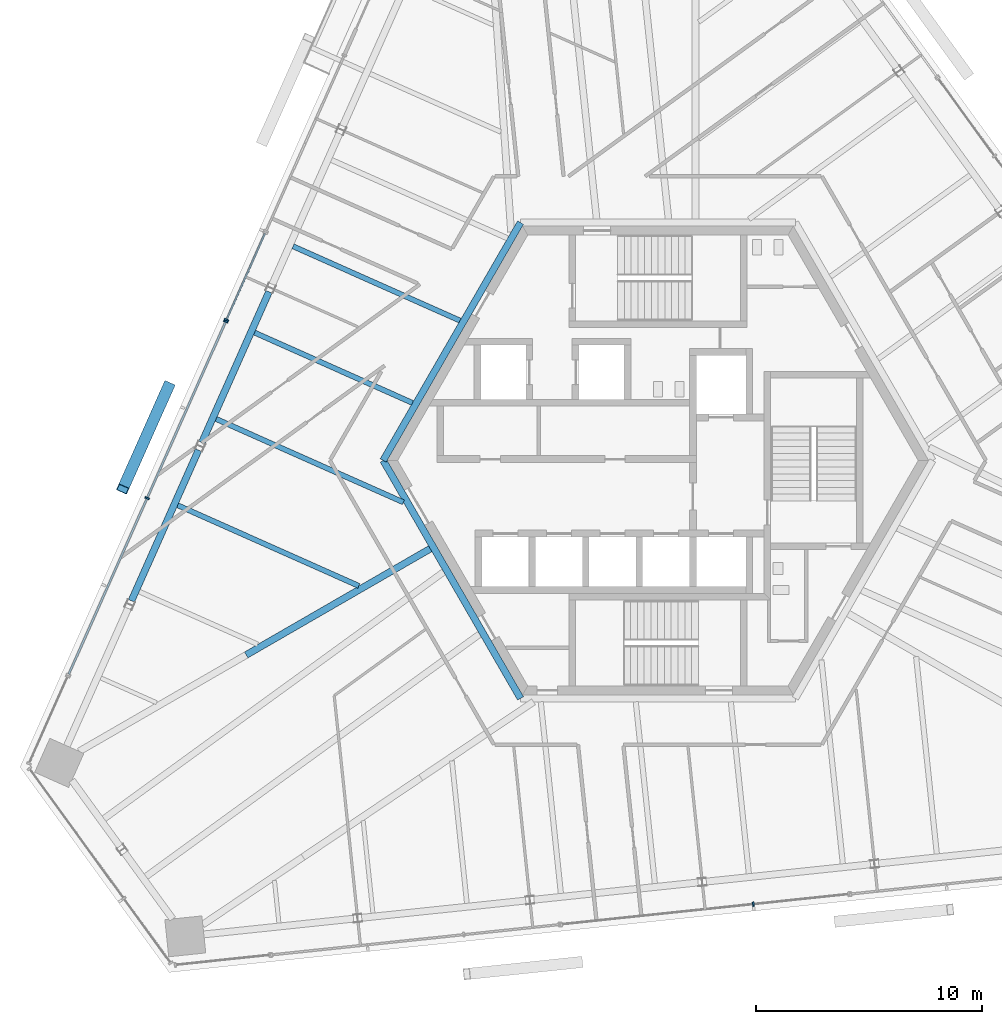
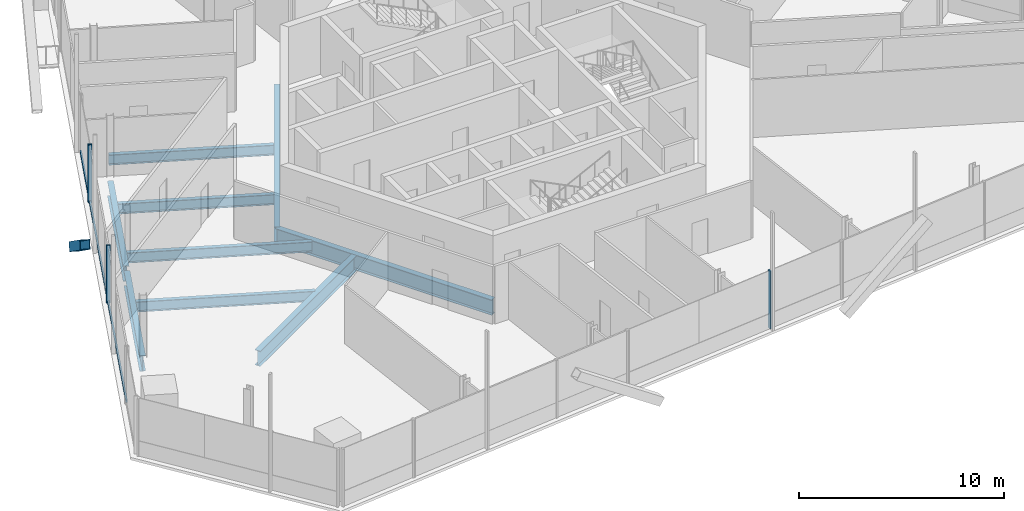
# One storey, part 5 of 21: 9 beams, 8 members, 3 elements without a shape of their own.
"""IFC4 building model written with IfcOpenShell, lengths in metres."""

from ifc_helpers import new_model, si_unit, direction, frame, origin, origin_2d, place, context, subcontext, project, spatial, rectangle, hollow_rectangle, i_section, extrude, source, transform, mapped, material, material_profile, profile_set, type_object, element, aggregate, save


model = new_model("IFC4")

# Units and contexts
model_context = context("Model", 3, precision=1e-05, world=origin(), true_north=direction((0.0, 1.0)))
body_context = subcontext(model_context, "Body", "Model", "MODEL_VIEW")
ifc_project = project(units=[si_unit("LENGTHUNIT", "METRE"), si_unit("AREAUNIT", "SQUARE_METRE"), si_unit("VOLUMEUNIT", "CUBIC_METRE"), si_unit("PLANEANGLEUNIT", "RADIAN"), si_unit("MASSUNIT", "GRAM", prefix="KILO")], contexts=[model_context])

# Site, building, storey
site_placement = place(None, origin())
site = spatial("IfcSite", under=ifc_project, at=site_placement, CompositionType="ELEMENT")
building_placement = place(site_placement, origin())
building = spatial("IfcBuilding", under=site, at=building_placement, Name="Triune Harvest Tower", CompositionType="ELEMENT")
storey_placement = place(building_placement, frame((0.0, 0.0, 241.300048828125)))
storey = spatial("IfcBuildingStorey", under=building, at=storey_placement, Name="L63", CompositionType="ELEMENT", Elevation=241.300048828125)

# Curtain wall, member
ifc_material_1 = material(Name="Aluminium bronze anodised", Category="aluminium")
curtain_wall_type_1 = type_object("IfcCurtainWallType", Name="CW-6 Balcony window wall", PredefinedType="NOTDEFINED", material=ifc_material_1)
curtain_wall_1_placement = place(storey_placement, origin())
curtain_wall_1 = element("IfcCurtainWall", 1, at=curtain_wall_1_placement, inside=storey, type_object=curtain_wall_type_1, Name="CW-6 B6-F3 L63 run 1002")
ifc_material_2 = material(Name="Aluminium bronze anodised", Category="aluminium")
ifc_material_profile_1 = material_profile(ifc_material_2, rectangle(XDim=0.090087890625, YDim=0.14990234375, at=origin_2d()), Name="TR-6 transom 90 x 150")
ifc_profile_set_1 = profile_set([ifc_material_profile_1], Name="Aluminium bronze anodised")
member_type_1 = type_object("IfcMemberType", Name="TR-6 transom 90 x 150", PredefinedType="USERDEFINED", material=ifc_profile_set_1)
member_1_placement = place(storey_placement, frame((-17.417724609375, 10.059814453125, 0.074951171875), z_axis=(-0.406716263408, -0.913554530983, 0.0), x_axis=(0.913554530983, -0.406716263408, 0.0)))
member_1 = element("IfcMember", 2, at=member_1_placement, type_object=member_type_1, Name="CW-6 transom B6-F3 1002.1", ObjectType="TRANSOM", PredefinedType="USERDEFINED", context=body_context, shape_type="SweptSolid", body=[
    extrude(rectangle(XDim=0.090087890625, YDim=0.14990234375, at=origin_2d()), origin(), (0.0, 0.0, 1.0), 4.155029296875),
])

# Beams
ifc_material_3 = material(Name="Steel ASTM A992 Gr 50", Category="steel")
ifc_material_profile_2 = material_profile(ifc_material_3, i_section(OverallWidth=0.3046875, OverallDepth=0.914306640625, WebThickness=0.0166015625, FlangeThickness=0.02587890625, at=origin_2d()), Name="W36x160")
ifc_profile_set_2 = profile_set([ifc_material_profile_2], Name="Steel ASTM A992 Gr 50")
beam_type_1 = type_object("IfcBeamType", Name="CG-1 Core ring girder W36x160", PredefinedType="BEAM", material=ifc_profile_set_2)
shared_shape_1 = source(origin(), body_context, "Body", "SweptSolid", [
    extrude(i_section(OverallWidth=0.3046875, OverallDepth=0.914306640625, WebThickness=0.0166015625, FlangeThickness=0.02587890625, at=origin_2d()), origin(), (0.0, 0.0, 1.0), 12.176025390625),
])
for number, where, z_axis, x_axis, name in (
    (3, (-6.087890625, 10.544677734375, -0.6171875), (-0.5000099932, -0.866019634131, 0.0), (0.866019634131, -0.5000099932, 0.0), "beam/L63/CG3"),
    (4, (-12.176025390625, 0.0, -0.6171875), (0.5000099932, -0.866019634131, 0.0), (0.866019634131, 0.5000099932, 0.0), "beam/L63/CG4"),
):
    element("IfcBeam", number, at=place(storey_placement, frame(where, z_axis=z_axis, x_axis=x_axis)), inside=storey, type_object=beam_type_1, Name=name, PredefinedType="BEAM", context=body_context, shape_type="MappedRepresentation", body=[
        mapped(shared_shape_1, transform((0.0, 0.0, 0.0), scale=1.0)),
    ])
ifc_material_4 = material(Name="Steel ASTM A992 Gr 50", Category="steel")
ifc_material_profile_3 = material_profile(ifc_material_4, i_section(OverallWidth=0.3046875, OverallDepth=0.914306640625, WebThickness=0.0166015625, FlangeThickness=0.02587890625, at=origin_2d()), Name="W36x160")
ifc_profile_set_3 = profile_set([ifc_material_profile_3], Name="Steel ASTM A992 Gr 50")
beam_type_2 = type_object("IfcBeamType", Name="HG-3 Hip girder W36x160", PredefinedType="BEAM", material=ifc_profile_set_3)
shared_shape_2 = source(origin(), body_context, "Body", "SweptSolid", [
    extrude(i_section(OverallWidth=0.3046875, OverallDepth=0.914306640625, WebThickness=0.0166015625, FlangeThickness=0.02587890625, at=origin_2d()), origin(), (0.0, 0.0, 1.0), 9.416259765625),
])
beam_1_placement = place(storey_placement, frame((-18.247802734375, -8.62060546875, -0.6171875), z_axis=(0.866032742664, 0.499987288472, 0.0), x_axis=(-0.499987288472, 0.866032742664, 0.0)))
element("IfcBeam", 5, at=beam_1_placement, inside=storey, type_object=beam_type_2, Name="beam/L63/HG6", PredefinedType="BEAM", context=body_context, shape_type="MappedRepresentation", body=[
    mapped(shared_shape_2, transform((0.0, 0.0, 0.0), scale=1.0)),
])
ifc_material_5 = material(Name="Steel ASTM A992 Gr 50", Category="steel")
ifc_material_profile_4 = material_profile(ifc_material_5, i_section(OverallWidth=0.3046875, OverallDepth=0.914306640625, WebThickness=0.0166015625, FlangeThickness=0.02587890625, at=origin_2d()), Name="W36x160")
ifc_profile_set_4 = profile_set([ifc_material_profile_4], Name="Steel ASTM A992 Gr 50")
beam_type_3 = type_object("IfcBeamType", Name="SB-1 Spandrel beam W36x160", PredefinedType="SPANDREL", material=ifc_profile_set_4)
shared_shape_3 = source(origin(), body_context, "Body", "SweptSolid", [
    extrude(i_section(OverallWidth=0.3046875, OverallDepth=0.914306640625, WebThickness=0.0166015625, FlangeThickness=0.02587890625, at=origin_2d()), origin(), (0.0, 0.0, 1.0), 7.311279296875),
])
for number, where, z_axis, x_axis, name in (
    (6, (-17.238525390625, 7.4736328125, -0.6171875), (-0.406748727305, -0.913540077301, 0.0), (0.913540077301, -0.406748727305, 0.0), "beam/L63/SB12"),
    (7, (-20.362060546875, 0.4580078125, -0.6171875), (-0.406720859208, -0.91355248491, 0.0), (0.91355248491, -0.406720859208, 0.0), "beam/L63/SB13"),
):
    element("IfcBeam", number, at=place(storey_placement, frame(where, z_axis=z_axis, x_axis=x_axis)), inside=storey, type_object=beam_type_3, Name=name, PredefinedType="SPANDREL", context=body_context, shape_type="MappedRepresentation", body=[
        mapped(shared_shape_3, transform((0.0, 0.0, 0.0), scale=1.0)),
    ])
ifc_material_6 = material(Name="Steel ASTM A992 Gr 50", Category="steel")
ifc_material_profile_5 = material_profile(ifc_material_6, i_section(OverallWidth=0.22900390625, OverallDepth=0.612060546875, WebThickness=0.011962890625, FlangeThickness=0.01953125, at=origin_2d()), Name="W24x84")
ifc_profile_set_5 = profile_set([ifc_material_profile_5], Name="Steel ASTM A992 Gr 50")
beam_type_4 = type_object("IfcBeamType", Name="JT-3 Floor joist W24x84", PredefinedType="JOIST", material=ifc_profile_set_5)
shared_shape_4 = source(origin(), body_context, "Body", "SweptSolid", [
    extrude(i_section(OverallWidth=0.22900390625, OverallDepth=0.612060546875, WebThickness=0.011962890625, FlangeThickness=0.01953125, at=origin_2d()), origin(), (0.0, 0.0, 1.0), 8.099609375),
])
beam_2_placement = place(storey_placement, frame((-16.172607421875, 9.4931640625, -0.466064453125), z_axis=(0.913545356779, -0.406736869618, 0.0), x_axis=(0.406736869618, 0.913545356779, 0.0)))
element("IfcBeam", 8, at=beam_2_placement, inside=storey, type_object=beam_type_4, Name="beam/L63/JT17", PredefinedType="JOIST", context=body_context, shape_type="MappedRepresentation", body=[
    mapped(shared_shape_4, transform((0.0, 0.0, 0.0), scale=1.0)),
])
shared_shape_5 = source(origin(), body_context, "Body", "SweptSolid", [
    extrude(i_section(OverallWidth=0.22900390625, OverallDepth=0.612060546875, WebThickness=0.011962890625, FlangeThickness=0.01953125, at=origin_2d()), origin(), (0.0, 0.0, 1.0), 7.659423828125),
])
beam_3_placement = place(storey_placement, frame((-17.876220703125, 5.66650390625, -0.466064453125), z_axis=(0.913536623341, -0.406756484663, 0.0), x_axis=(0.406756484663, 0.913536623341, 0.0)))
element("IfcBeam", 9, at=beam_3_placement, inside=storey, type_object=beam_type_4, Name="beam/L63/JT18", PredefinedType="JOIST", context=body_context, shape_type="MappedRepresentation", body=[
    mapped(shared_shape_5, transform((0.0, 0.0, 0.0), scale=1.0)),
])
shared_shape_6 = source(origin(), body_context, "Body", "SweptSolid", [
    extrude(i_section(OverallWidth=0.22900390625, OverallDepth=0.612060546875, WebThickness=0.011962890625, FlangeThickness=0.01953125, at=origin_2d()), origin(), (0.0, 0.0, 1.0), 9.084716796875),
])
beam_4_placement = place(storey_placement, frame((-19.580078125, 1.83984375, -0.466064453125), z_axis=(0.913546495421, -0.406734312179, 0.0), x_axis=(0.406734312179, 0.913546495421, 0.0)))
element("IfcBeam", 10, at=beam_4_placement, inside=storey, type_object=beam_type_4, Name="beam/L63/JT19", PredefinedType="JOIST", context=body_context, shape_type="MappedRepresentation", body=[
    mapped(shared_shape_6, transform((0.0, 0.0, 0.0), scale=1.0)),
])
shared_shape_7 = source(origin(), body_context, "Body", "SweptSolid", [
    extrude(i_section(OverallWidth=0.22900390625, OverallDepth=0.612060546875, WebThickness=0.011962890625, FlangeThickness=0.01953125, at=origin_2d()), origin(), (0.0, 0.0, 1.0), 8.789306640625),
])
beam_5_placement = place(storey_placement, frame((-21.28369140625, -1.98681640625, -0.466064453125), z_axis=(0.913542165142, -0.406744038074, 0.0), x_axis=(0.406744038074, 0.913542165142, 0.0)))
element("IfcBeam", 11, at=beam_5_placement, inside=storey, type_object=beam_type_4, Name="beam/L63/JT20", PredefinedType="JOIST", context=body_context, shape_type="MappedRepresentation", body=[
    mapped(shared_shape_7, transform((0.0, 0.0, 0.0), scale=1.0)),
])

# Member
ifc_material_7 = material(Name="Steel ASTM A572 Gr 50", Category="steel")
ifc_material_profile_6 = material_profile(ifc_material_7, hollow_rectangle(XDim=0.5, YDim=0.5, WallThickness=0.030029296875, at=origin_2d()), Name="Box 500x500x30")
ifc_profile_set_6 = profile_set([ifc_material_profile_6], Name="Steel ASTM A572 Gr 50")
member_type_2 = type_object("IfcMemberType", Name="BR-3 Brace Box 500x500x30", PredefinedType="BRACE", material=ifc_profile_set_6)
shared_shape_8 = source(origin(), body_context, "Body", "SweptSolid", [
    extrude(hollow_rectangle(XDim=0.5, YDim=0.5, WallThickness=0.030029296875, at=origin_2d()), origin(), (0.0, 0.0, 1.0), 6.170654296875),
])
member_2_placement = place(storey_placement, frame((-21.681396484375, 3.310791015625, 0.0), z_axis=(-0.330359661148, -0.741983842536, 0.583371641153), x_axis=(0.913542177249, -0.406744010879, 0.0)))
element("IfcMember", 12, at=member_2_placement, inside=storey, type_object=member_type_2, Name="brace/B6-F3/d1/7", PredefinedType="BRACE", context=body_context, shape_type="MappedRepresentation", body=[
    mapped(shared_shape_8, transform((0.0, 0.0, 0.0), scale=1.0)),
])

# Curtain wall, member
ifc_material_8 = material(Name="Aluminium bronze anodised", Category="aluminium")
curtain_wall_type_2 = type_object("IfcCurtainWallType", Name="CW-1 Tower stick curtain wall", PredefinedType="NOTDEFINED", material=ifc_material_8)
curtain_wall_2_placement = place(storey_placement, origin())
curtain_wall_2 = element("IfcCurtainWall", 13, at=curtain_wall_2_placement, inside=storey, type_object=curtain_wall_type_2, Name="CW-1 B6-F5 L63 run 2001")
ifc_material_9 = material(Name="Aluminium bronze anodised", Category="aluminium")
ifc_material_profile_7 = material_profile(ifc_material_9, rectangle(XDim=0.199951171875, YDim=0.074951171875, at=origin_2d()), Name="MU-1 mullion 75 x 200")
ifc_profile_set_7 = profile_set([ifc_material_profile_7], Name="Aluminium bronze anodised")
member_type_3 = type_object("IfcMemberType", Name="MU-1 mullion 75 x 200", PredefinedType="MULLION", material=ifc_profile_set_7)
shared_shape_9 = source(origin(), body_context, "Body", "SweptSolid", [
    extrude(rectangle(XDim=0.199951171875, YDim=0.074951171875, at=origin_2d()), origin(), (0.0, 0.0, 1.0), 3.43994140625),
])
member_3_placement = place(storey_placement, frame((4.229248046875, -19.669189453125, 0.0), z_axis=(0.0, 0.0, 1.0), x_axis=(-0.104535075084, 0.994521200416, 0.0)))
member_3 = element("IfcMember", 14, at=member_3_placement, type_object=member_type_3, Name="CW-1 mullion B6-F5 2001.3", PredefinedType="MULLION", context=body_context, shape_type="MappedRepresentation", body=[
    mapped(shared_shape_9, transform((0.0, 0.0, 0.0), scale=1.0)),
])
aggregate(curtain_wall_2, [member_3])

# Member
ifc_material_10 = material(Name="Aluminium bronze anodised", Category="aluminium")
ifc_material_profile_8 = material_profile(ifc_material_10, rectangle(XDim=0.199951171875, YDim=0.074951171875, at=origin_2d()), Name="MU-6 mullion 75 x 200")
ifc_profile_set_8 = profile_set([ifc_material_profile_8], Name="Aluminium bronze anodised")
member_type_4 = type_object("IfcMemberType", Name="MU-6 mullion 75 x 200", PredefinedType="MULLION", material=ifc_profile_set_8)
shared_shape_10 = source(origin(), body_context, "Body", "SweptSolid", [
    extrude(rectangle(XDim=0.199951171875, YDim=0.074951171875, at=origin_2d()), origin(), (0.0, 0.0, 1.0), 3.43994140625),
])
member_4_placement = place(storey_placement, frame((-19.123046875, 6.229736328125, 0.0), z_axis=(0.0, 0.0, 1.0), x_axis=(0.913540270066, -0.406748294364, 0.0)))
member_4 = element("IfcMember", 15, at=member_4_placement, type_object=member_type_4, Name="CW-6 mullion B6-F3 1002.2", PredefinedType="MULLION", context=body_context, shape_type="MappedRepresentation", body=[
    mapped(shared_shape_10, transform((0.0, 0.0, 0.0), scale=1.0)),
])

aggregate(curtain_wall_1, [member_4, member_1])

# Curtain wall, members
ifc_material_11 = material(Name="Aluminium bronze anodised", Category="aluminium")
curtain_wall_type_3 = type_object("IfcCurtainWallType", Name="CW-10 Balcony window wall with insulated spandrel infill", PredefinedType="NOTDEFINED", material=ifc_material_11)
curtain_wall_3_placement = place(storey_placement, origin())
curtain_wall_3 = element("IfcCurtainWall", 16, at=curtain_wall_3_placement, inside=storey, type_object=curtain_wall_type_3, Name="CW-10 B6-F3 L63 run 2002")
member_5_placement = place(storey_placement, frame((-19.153564453125, 6.1611328125, 0.0), z_axis=(0.0, 0.0, 1.0), x_axis=(0.913545546294, -0.406736443962, 0.0)))
member_5 = element("IfcMember", 17, at=member_5_placement, type_object=member_type_4, Name="CW-10 mullion B6-F3 2002.1", PredefinedType="MULLION", context=body_context, shape_type="MappedRepresentation", body=[
    mapped(shared_shape_10, transform((0.0, 0.0, 0.0), scale=1.0)),
])
member_6_placement = place(storey_placement, frame((-22.640380859375, -1.67041015625, 0.0), z_axis=(0.0, 0.0, 1.0), x_axis=(0.913545546294, -0.406736443962, 0.0)))
member_6 = element("IfcMember", 18, at=member_6_placement, type_object=member_type_4, Name="CW-10 mullion B6-F3 2002.3", PredefinedType="MULLION", context=body_context, shape_type="MappedRepresentation", body=[
    mapped(shared_shape_10, transform((0.0, 0.0, 0.0), scale=1.0)),
])
shared_shape_11 = source(origin(), body_context, "Body", "SweptSolid", [
    extrude(rectangle(XDim=0.090087890625, YDim=0.14990234375, at=origin_2d()), origin(), (0.0, 0.0, 1.0), 8.497802734375),
])
member_7_placement = place(storey_placement, frame((-19.168701171875, 6.126953125, 0.074951171875), z_axis=(-0.406727490232, -0.913549532696, 0.0), x_axis=(0.913549532696, -0.406727490232, 0.0)))
member_7 = element("IfcMember", 19, at=member_7_placement, type_object=member_type_1, Name="CW-10 transom B6-F3 2002.1", ObjectType="TRANSOM", PredefinedType="USERDEFINED", context=body_context, shape_type="MappedRepresentation", body=[
    mapped(shared_shape_11, transform((0.0, 0.0, 0.0), scale=1.0)),
])
member_8_placement = place(storey_placement, frame((-22.655517578125, -1.70458984375, 0.074951171875), z_axis=(-0.406727490232, -0.913549532696, 0.0), x_axis=(0.913549532696, -0.406727490232, 0.0)))
member_8 = element("IfcMember", 20, at=member_8_placement, type_object=member_type_1, Name="CW-10 transom B6-F3 2002.2", ObjectType="TRANSOM", PredefinedType="USERDEFINED", context=body_context, shape_type="MappedRepresentation", body=[
    mapped(shared_shape_11, transform((0.0, 0.0, 0.0), scale=1.0)),
])
aggregate(curtain_wall_3, [member_5, member_6, member_7, member_8])

save(model, "model.ifc")
